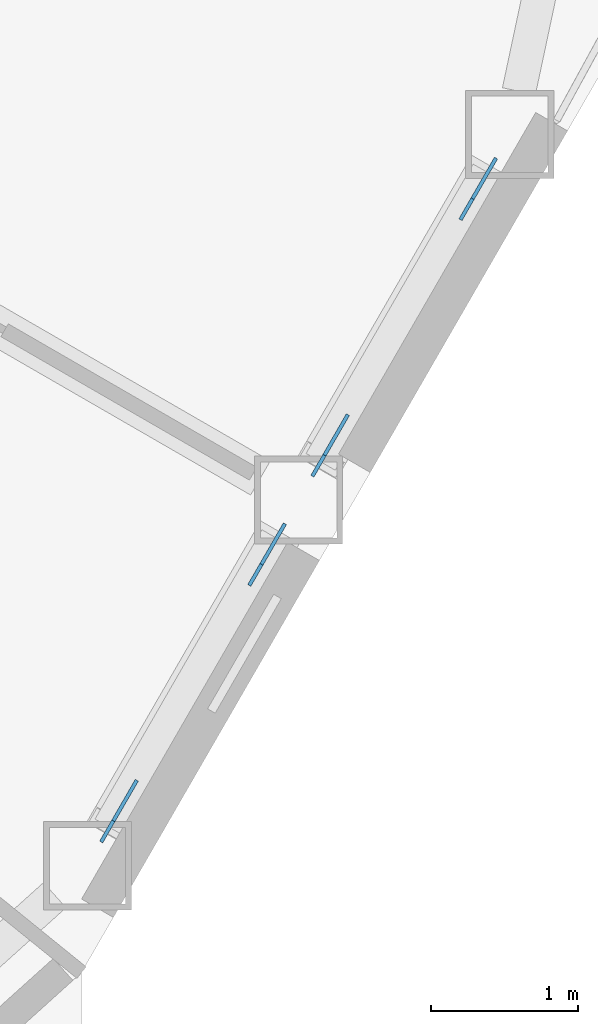
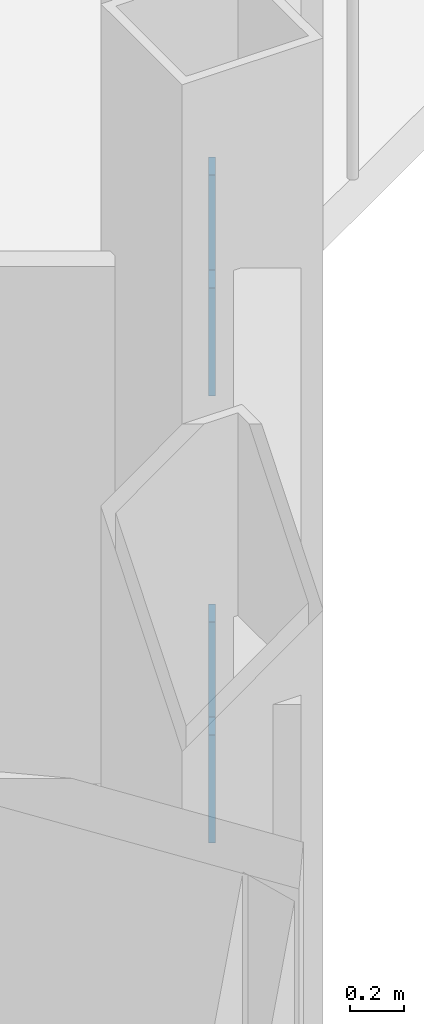
# One storey, part 21 of 28: 4 discrete accessories.
"""IFC4 building model written with IfcOpenShell, lengths in metres."""

from ifc_helpers import new_model, si_unit, direction, frame, origin, origin_2d, place, context, subcontext, project, spatial, rectangle, extrude, material, material_profile, profile_set, type_object, element, save


model = new_model("IFC4")

# Units and contexts
model_context = context("Model", 3, precision=1e-05, world=origin(), true_north=direction((0.0, 1.0)))
body_context = subcontext(model_context, "Body", "Model", "MODEL_VIEW")
ifc_project = project(units=[si_unit("LENGTHUNIT", "METRE"), si_unit("AREAUNIT", "SQUARE_METRE"), si_unit("VOLUMEUNIT", "CUBIC_METRE"), si_unit("PLANEANGLEUNIT", "RADIAN"), si_unit("MASSUNIT", "GRAM", prefix="KILO")], contexts=[model_context])

# Site, building, storey
site_placement = place(None, origin())
site = spatial("IfcSite", under=ifc_project, at=site_placement, CompositionType="ELEMENT")
building_placement = place(site_placement, origin())
building = spatial("IfcBuilding", under=site, at=building_placement, Name="Cormorant Prow Tower", CompositionType="ELEMENT")
storey_placement = place(building_placement, frame((0.0, 0.0, 305.199951171875)))
storey = spatial("IfcBuildingStorey", under=building, at=storey_placement, Name="L66", CompositionType="ELEMENT", Elevation=305.199951171875)

# Discrete accessories
ifc_material = material(Name="Structural steel ASTM A500 Gr C", Category="steel")
ifc_material_profile = material_profile(ifc_material, rectangle(XDim=0.02490234375, YDim=0.405029296875, at=origin_2d()), Name="Gusset plate 25x405")
ifc_profile_set = profile_set([ifc_material_profile], Name="Structural steel ASTM A500 Gr C")
discrete_accessory_type = type_object("IfcDiscreteAccessoryType", Name="Gusset plate 25x405", PredefinedType="BRACKET", material=ifc_profile_set)
discrete_accessory_1_placement = place(storey_placement, frame((27.137939453125, -16.34765625, 0.86376953125), z_axis=(0.45649114423, 0.790134518758, -0.409027233209), x_axis=(-0.865879799044, 0.500252110048, 0.0)))
element("IfcDiscreteAccessory", 1, at=discrete_accessory_1_placement, inside=storey, type_object=discrete_accessory_type, Name="Gusset plate GP3 L66.ESE00.g0", PredefinedType="BRACKET", context=body_context, shape_type="SweptSolid", body=[
    extrude(rectangle(XDim=0.02490234375, YDim=0.405029296875, at=origin_2d()), origin(), (0.0, 0.0, 1.0), 0.349853515625),
])
discrete_accessory_2_placement = place(storey_placement, frame((26.289794921875, -17.817138671875, 1.624267578125), z_axis=(-0.456791619277, -0.790144892581, 0.408671586101), x_axis=(0.865740004385, -0.50049400077, 0.0)))
element("IfcDiscreteAccessory", 2, at=discrete_accessory_2_placement, inside=storey, type_object=discrete_accessory_type, Name="Gusset plate GP3 L66.ESE00.g1", PredefinedType="BRACKET", context=body_context, shape_type="SweptSolid", body=[
    extrude(rectangle(XDim=0.02490234375, YDim=0.405029296875, at=origin_2d()), origin(), (0.0, 0.0, 1.0), 0.35009765625),
])
for number, where, z_axis, x_axis, name in (
    (3, (28.574951171875, -13.85888671875, 0.86376953125), (0.456239480558, 0.790396531303, -0.408801736402), (-0.866071029786, 0.499920965119, 0.0), "Gusset plate GP3 L66.ESE01.g0"),
    (4, (27.7265625, -15.328369140625, 1.624267578125), (-0.456239480558, -0.790396531303, 0.408801736402), (0.866071029786, -0.499920965119, 0.0), "Gusset plate GP3 L66.ESE01.g1"),
):
    element("IfcDiscreteAccessory", number, at=place(storey_placement, frame(where, z_axis=z_axis, x_axis=x_axis)), inside=storey, type_object=discrete_accessory_type, Name=name, PredefinedType="BRACKET", context=body_context, shape_type="SweptSolid", body=[
        extrude(rectangle(XDim=0.02490234375, YDim=0.405029296875, at=origin_2d()), origin(), (0.0, 0.0, 1.0), 0.349853515625),
    ])

save(model, "model.ifc")
